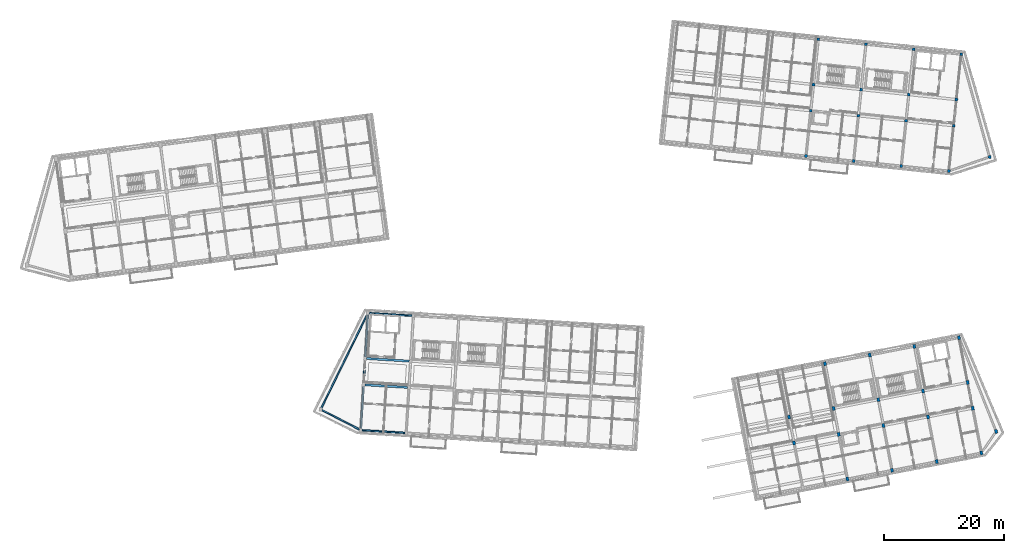
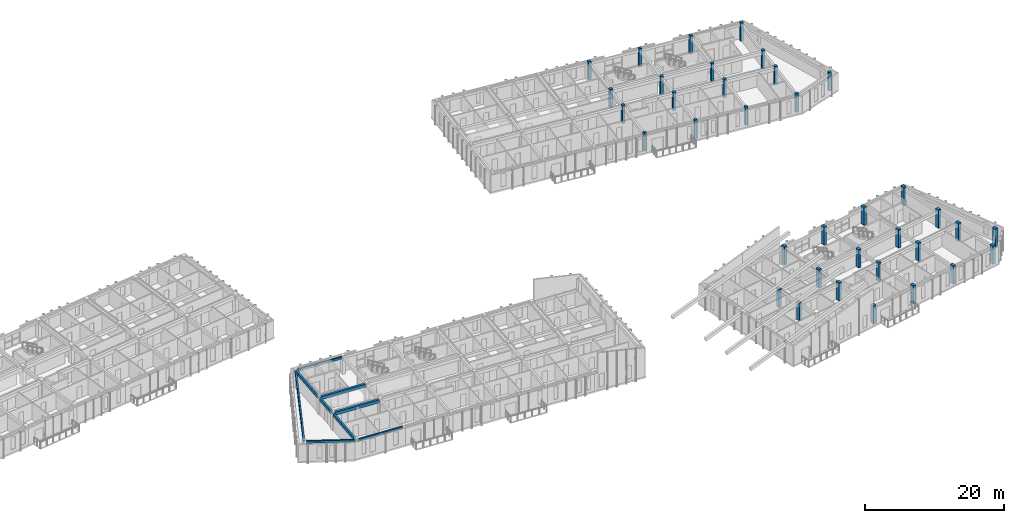
# One storey, part 2 of 64: 36 columns, 9 beams.
"""IFC4 building model written with IfcOpenShell, lengths in metres."""

import ifcopenshell
import ifcopenshell.guid

model = None  # the IFC model being written
_history = None  # IfcOwnerHistory: only IFC2X3 demands one
_inside = {}  # id of a spatial element -> (the spatial element, [elements in it])
_under = {}  # id of a project, library or spatial element -> (it, [spatial elements below it])
_declared = {}  # id of a project -> (the project, [libraries it declares])
_typed = {}  # id of a type object -> (the type object, [elements of that type])
_made_of = {}  # id of a material, layer set ... -> (it, [elements and type objects made of it])


def new_model(schema):
    """Start an empty IFC model of exactly this schema.

    Asked for "IFC4X3", IfcOpenShell would pick the latest addendum, in which some entities
    have other attributes; the version numbers below select the first issue.
    IFC2X3 requires an IfcOwnerHistory on every rooted entity: one is made here for all.
    """
    global model, _history
    if schema == "IFC4X3":
        model = ifcopenshell.file(schema_version=(4, 3, 0, 0))
    else:
        model = ifcopenshell.file(schema=schema)
    _inside.clear()
    _under.clear()
    _declared.clear()
    _typed.clear()
    _made_of.clear()
    _history = None
    if model.schema == "IFC2X3":
        org = make("IfcOrganization", Name="unknown")
        user = make(
            "IfcPersonAndOrganization",
            ThePerson=make("IfcPerson", FamilyName="unknown"),
            TheOrganization=org,
        )
        app = make(
            "IfcApplication",
            ApplicationDeveloper=org,
            Version="unknown",
            ApplicationFullName="unknown",
            ApplicationIdentifier="unknown",
        )
        _history = make(
            "IfcOwnerHistory",
            OwningUser=user,
            OwningApplication=app,
            ChangeAction="ADDED",
            CreationDate=0,
        )
    return model


def make(cls, **values):
    """One entity of the class cls with the attributes given. An attribute that is None is left unset."""
    return model.create_entity(
        cls, **{name: value for name, value in values.items() if value is not None}
    )


def rooted(cls, **values):
    """An entity with a GlobalId (a new one), such as an element, a storey or a relation."""
    return make(cls, GlobalId=ifcopenshell.guid.new(), OwnerHistory=_history, **values)


def si_unit(unit_type, name, prefix=None):
    """IfcSIUnit, for example si_unit("LENGTHUNIT", "METRE", prefix="MILLI")."""
    return make("IfcSIUnit", UnitType=unit_type, Prefix=prefix, Name=name)


def assignment(units):
    """IfcUnitAssignment: the units of a project."""
    return None if units is None else make("IfcUnitAssignment", Units=units)


def point(xyz):
    """IfcCartesianPoint."""
    return None if xyz is None else make("IfcCartesianPoint", Coordinates=xyz)


def direction(xyz):
    """IfcDirection."""
    return None if xyz is None else make("IfcDirection", DirectionRatios=xyz)


def frame(location, z_axis=None, x_axis=None):
    """IfcAxis2Placement3D, a coordinate frame: its origin and axes. An axis left out is left unset."""
    return make(
        "IfcAxis2Placement3D",
        Location=point(location),
        Axis=direction(z_axis),
        RefDirection=direction(x_axis),
    )


def frame_2d(location, x_axis=None):
    """IfcAxis2Placement2D, a coordinate frame in the plane: its origin and x axis."""
    return make(
        "IfcAxis2Placement2D", Location=point(location), RefDirection=direction(x_axis)
    )


def origin():
    """The frame at (0, 0, 0) with its axes left unset."""
    return frame((0.0, 0.0, 0.0))


def origin_2d():
    """The frame at (0, 0) in the plane with its x axis left unset."""
    return frame_2d((0.0, 0.0))


def place(relative_to, where):
    """IfcLocalPlacement: puts the frame where relative to a parent placement (None: the world)."""
    return make(
        "IfcLocalPlacement", PlacementRelTo=relative_to, RelativePlacement=where
    )


def context(
    kind, dimensions, precision=None, world=None, true_north=None, identifier=None
):
    """IfcGeometricRepresentationContext, for example the 3D "Model" context."""
    return make(
        "IfcGeometricRepresentationContext",
        ContextIdentifier=identifier,
        ContextType=kind,
        CoordinateSpaceDimension=dimensions,
        Precision=precision,
        WorldCoordinateSystem=world,
        TrueNorth=true_north,
    )


def subcontext(parent, identifier, kind, view, scale=None):
    """IfcGeometricRepresentationSubContext, for example "Body" below "Model"."""
    return make(
        "IfcGeometricRepresentationSubContext",
        ContextIdentifier=identifier,
        ContextType=kind,
        ParentContext=parent,
        TargetScale=scale,
        TargetView=view,
    )


def project(units=None, contexts=None):
    """IfcProject with its units and contexts."""
    return rooted(
        "IfcProject",
        Name="project",
        RepresentationContexts=contexts,
        UnitsInContext=assignment(units),
    )


def spatial(cls, under=None, at=None, **own):
    """A site, building, storey or space (cls), placed at a placement, below another one or the project."""
    s = rooted(cls, ObjectPlacement=at, **own)
    if under is not None:
        _under.setdefault(under.id(), (under, []))[1].append(s)
    return s


def profile(cls, at=None, kind="AREA", **sizes):
    """A parametric profile (cls). Its sizes go by their IFC names, for example OverallWidth=200.0."""
    return make(cls, ProfileType=kind, Position=at, **sizes)


def rectangle(**sizes):
    """IfcRectangleProfileDef."""
    return profile("IfcRectangleProfileDef", **sizes)


def extrude(swept, where, along, depth):
    """IfcExtrudedAreaSolid: the profile swept, set in the frame where, extruded along a direction by depth."""
    return make(
        "IfcExtrudedAreaSolid",
        SweptArea=swept,
        Position=where,
        ExtrudedDirection=direction(along),
        Depth=depth,
    )


def shape(context_of_items, identifier, shape_type, items):
    """IfcShapeRepresentation: the items that make up one representation, for example the "Body"."""
    return make(
        "IfcShapeRepresentation",
        ContextOfItems=context_of_items,
        RepresentationIdentifier=identifier,
        RepresentationType=shape_type,
        Items=items,
    )


def material(Name=None, Category=None):
    """IfcMaterial."""
    return make("IfcMaterial", Name=Name, Category=Category)


def material_profile(
    of_material, cross_section, Name=None, Category=None, Priority=None
):
    """IfcMaterialProfile: a cross section and its material."""
    return make(
        "IfcMaterialProfile",
        Name=Name,
        Material=of_material,
        Profile=cross_section,
        Priority=Priority,
        Category=Category,
    )


def profile_set(profiles, Name=None, composite=None):
    """IfcMaterialProfileSet."""
    return make(
        "IfcMaterialProfileSet",
        Name=Name,
        MaterialProfiles=profiles,
        CompositeProfile=composite,
    )


def made_of(thing, what):
    """Note that an element or type object is made of a material, layer set ...; save() writes the relation."""
    if what is not None:
        _made_of.setdefault(what.id(), (what, []))[1].append(thing)
    return thing


def type_object(cls, material=None, **own):
    """A type object (cls), such as IfcWallType, which elements share."""
    return made_of(rooted(cls, **own), material)


def element(
    cls,
    number,
    at=None,
    inside=None,
    cuts=None,
    type_object=None,
    material=None,
    context=None,
    identifier="Body",
    shape_type=None,
    held_by="IfcProductDefinitionShape",
    body=None,
    shapes=None,
    **own,
):
    """One element of the class cls, such as IfcWall. Its Tag is "e" and its number.

    at: its placement. inside: the storey or other place that contains it. cuts: it is an
    opening in that element (IfcRelVoidsElement). A single representation is given by context,
    identifier, shape_type and body (its items); several are given by shapes. held_by: the class
    of the entity that holds the representations. save() writes the other relations.
    """
    e = rooted(cls, Tag="e%d" % number, ObjectPlacement=at, **own)
    if body is not None:
        shapes = [shape(context, identifier, shape_type, body)]
    if shapes is not None:
        e.Representation = make(held_by, Representations=shapes)
    if inside is not None:
        _inside.setdefault(inside.id(), (inside, []))[1].append(e)
    if cuts is not None:
        rooted(
            "IfcRelVoidsElement", RelatingBuildingElement=cuts, RelatedOpeningElement=e
        )
    if type_object is not None:
        _typed.setdefault(type_object.id(), (type_object, []))[1].append(e)
    return made_of(e, material)


def aggregate(whole, parts):
    """IfcRelAggregates: a whole, such as a stair, and the parts it consists of."""
    return rooted("IfcRelAggregates", RelatingObject=whole, RelatedObjects=parts)


def save(model, path):
    """Write the relations noted so far, then the file.

    IfcRelAggregates (storeys below a building ...), IfcRelContainedInSpatialStructure (elements
    in a storey), IfcRelDefinesByType, IfcRelAssociatesMaterial and IfcRelDeclares: one each for
    every whole, place, type object, material and project.
    """
    for whole, parts in _under.values():
        aggregate(whole, parts)
    for where, things in _inside.values():
        rooted(
            "IfcRelContainedInSpatialStructure",
            RelatedElements=things,
            RelatingStructure=where,
        )
    for kind, things in _typed.values():
        rooted("IfcRelDefinesByType", RelatedObjects=things, RelatingType=kind)
    for what, things in _made_of.values():
        rooted("IfcRelAssociatesMaterial", RelatedObjects=things, RelatingMaterial=what)
    for by, libraries in _declared.values():
        rooted("IfcRelDeclares", RelatingContext=by, RelatedDefinitions=libraries)
    model.write(path)


model = new_model("IFC4")

# Units and contexts
model_context = context("Model", 3, precision=1e-05, world=origin(), true_north=direction((0.0, 1.0)))
body_context = subcontext(model_context, "Body", "Model", "MODEL_VIEW")
ifc_project = project(units=[si_unit("LENGTHUNIT", "METRE"), si_unit("AREAUNIT", "SQUARE_METRE"), si_unit("VOLUMEUNIT", "CUBIC_METRE"), si_unit("PLANEANGLEUNIT", "RADIAN"), si_unit("MASSUNIT", "GRAM", prefix="KILO")], contexts=[model_context])

# Site, building, storey
site_placement = place(None, origin())
site = spatial("IfcSite", under=ifc_project, at=site_placement, CompositionType="ELEMENT")
building_placement = place(site_placement, origin())
building = spatial("IfcBuilding", under=site, at=building_placement, Name="Kestramere Prow Commons", CompositionType="ELEMENT")
storey_placement = place(building_placement, frame((0.0, 0.0, 24.64990234375)))
storey = spatial("IfcBuildingStorey", under=building, at=storey_placement, Name="L07", CompositionType="ELEMENT", Elevation=24.64990234375)

# Columns
ifc_material = material(Name="Precast concrete C40/50", Category="concrete")
ifc_material_profile_1 = material_profile(ifc_material, rectangle(XDim=0.449951171875, YDim=0.449951171875, at=origin_2d()), Name="PC-COL 450x450")
ifc_profile_set_1 = profile_set([ifc_material_profile_1], Name="Precast concrete C40/50")
column_type_1 = type_object("IfcColumnType", Name="C-B3 PC-COL 450x450", PredefinedType="COLUMN", material=ifc_profile_set_1)
for number, where, z_axis, x_axis, name in (
    (1, (133.868408203125, 92.291259765625, 0.0), (0.0, 0.0, 1.0), (0.994521895368, -0.104528463268, 0.0), "Block B L07 Column 4-1"),
    (2, (134.662841796875, 99.849609375, 0.0), (0.0, 0.0, 1.0), (0.994521895368, -0.104528463268, 0.0), "Block B L07 Column 4-2"),
    (3, (135.122802734375, 104.2255859375, 0.0), (0.0, 0.0, 1.0), (0.994521895368, -0.104528463268, 0.0), "Block B L07 Column 4-3"),
    (4, (135.917236328125, 111.783935546875, 0.0), (0.0, 0.0, 1.0), (0.994521895368, -0.104528463268, 0.0), "Block B L07 Column 4-4"),
    (5, (141.82470703125, 91.455078125, 0.0), (0.0, 0.0, 1.0), (0.994521895368, -0.104528463268, 0.0), "Block B L07 Column 5-1"),
    (6, (142.619140625, 99.013427734375, 0.0), (0.0, 0.0, 1.0), (0.994521895368, -0.104528463268, 0.0), "Block B L07 Column 5-2"),
    (7, (143.0791015625, 103.389404296875, 0.0), (0.0, 0.0, 1.0), (0.994521895368, -0.104528463268, 0.0), "Block B L07 Column 5-3"),
    (8, (143.87353515625, 110.94775390625, 0.0), (0.0, 0.0, 1.0), (0.994521895368, -0.104528463268, 0.0), "Block B L07 Column 5-4"),
    (9, (149.78076171875, 90.618896484375, 0.0), (0.0, 0.0, 1.0), (0.994521895368, -0.104528463268, 0.0), "Block B L07 Column 6-1"),
    (10, (150.5751953125, 98.17724609375, 0.0), (0.0, 0.0, 1.0), (0.994521895368, -0.104528463268, 0.0), "Block B L07 Column 6-2"),
    (11, (151.03515625, 102.55322265625, 0.0), (0.0, 0.0, 1.0), (0.994521895368, -0.104528463268, 0.0), "Block B L07 Column 6-3"),
    (12, (151.82958984375, 110.111572265625, 0.0), (0.0, 0.0, 1.0), (0.994521895368, -0.104528463268, 0.0), "Block B L07 Column 6-4"),
    (13, (157.737060546875, 89.78271484375, 0.0), (0.0, 0.0, 1.0), (0.994521895368, -0.104528463268, 0.0), "Block B L07 Column 7-1"),
    (14, (158.531494140625, 97.341064453125, 0.0), (0.0, 0.0, 1.0), (0.994521895368, -0.104528463268, 0.0), "Block B L07 Column 7-2"),
    (15, (158.991455078125, 101.716796875, 0.0), (0.0, 0.0, 1.0), (0.994521895368, -0.104528463268, 0.0), "Block B L07 Column 7-3"),
    (16, (159.785888671875, 109.275146484375, 0.0), (0.0, 0.0, 1.0), (0.994521895368, -0.104528463268, 0.0), "Block B L07 Column 7-4"),
    (17, (164.520263671875, 92.136474609375, 0.0), (0.0, 0.0, 1.0), (0.994521895368, -0.104528463268, 0.0), "Block B L07 Prow Apex Column"),
):
    element("IfcColumn", number, at=place(storey_placement, frame(where, z_axis=z_axis, x_axis=x_axis)), inside=storey, type_object=column_type_1, Name=name, PredefinedType="COLUMN", context=body_context, shape_type="SweptSolid", body=[
        extrude(rectangle(XDim=0.449951171875, YDim=0.449951171875, at=origin_2d()), origin(), (0.0, 0.0, 1.0), 3.25),
    ])
ifc_material_profile_2 = material_profile(ifc_material, rectangle(XDim=0.449951171875, YDim=0.64990234375, at=origin_2d()), Name="PC-COL 450x650")
ifc_profile_set_2 = profile_set([ifc_material_profile_2], Name="Precast concrete C40/50")
column_type_2 = type_object("IfcColumnType", Name="C-D3 PC-COL 450x650", PredefinedType="COLUMN", material=ifc_profile_set_2)
for number, where, z_axis, x_axis, name in (
    (18, (131.87060546875, 44.360595703125, 0.0), (0.0, 0.0, 1.0), (0.981627183448, 0.190808995377, 0.0), "Block D L07 Column 3-2"),
    (19, (131.031005859375, 48.679931640625, 0.0), (0.0, 0.0, 1.0), (0.981627183448, 0.190808995377, 0.0), "Block D L07 Column 3-3"),
    (20, (140.781005859375, 38.350341796875, 0.0), (0.0, 0.0, 1.0), (0.981627183448, 0.190808995377, 0.0), "Block D L07 Column 4-1"),
    (21, (139.3310546875, 45.810791015625, 0.0), (0.0, 0.0, 1.0), (0.981627183448, 0.190808995377, 0.0), "Block D L07 Column 4-2"),
    (22, (138.491455078125, 50.1298828125, 0.0), (0.0, 0.0, 1.0), (0.981627183448, 0.190808995377, 0.0), "Block D L07 Column 4-3"),
    (23, (137.041259765625, 57.59033203125, 0.0), (0.0, 0.0, 1.0), (0.981627183448, 0.190808995377, 0.0), "Block D L07 Column 4-4"),
    (24, (148.241455078125, 39.800537109375, 0.0), (0.0, 0.0, 1.0), (0.981627183448, 0.190808995377, 0.0), "Block D L07 Column 5-1"),
    (25, (146.791259765625, 47.260986328125, 0.0), (0.0, 0.0, 1.0), (0.981627183448, 0.190808995377, 0.0), "Block D L07 Column 5-2"),
    (26, (145.95166015625, 51.580078125, 0.0), (0.0, 0.0, 1.0), (0.981627183448, 0.190808995377, 0.0), "Block D L07 Column 5-3"),
    (27, (144.501708984375, 59.04052734375, 0.0), (0.0, 0.0, 1.0), (0.981627183448, 0.190808995377, 0.0), "Block D L07 Column 5-4"),
    (28, (155.701904296875, 41.250732421875, 0.0), (0.0, 0.0, 1.0), (0.981627183448, 0.190808995377, 0.0), "Block D L07 Column 6-1"),
    (29, (154.251708984375, 48.711181640625, 0.0), (0.0, 0.0, 1.0), (0.981627183448, 0.190808995377, 0.0), "Block D L07 Column 6-2"),
    (30, (153.412109375, 53.0302734375, 0.0), (0.0, 0.0, 1.0), (0.981627183448, 0.190808995377, 0.0), "Block D L07 Column 6-3"),
    (31, (151.9619140625, 60.49072265625, 0.0), (0.0, 0.0, 1.0), (0.981627183448, 0.190808995377, 0.0), "Block D L07 Column 6-4"),
    (32, (163.162109375, 42.700927734375, 0.0), (0.0, 0.0, 1.0), (0.981627183448, 0.190808995377, 0.0), "Block D L07 Column 7-1"),
    (33, (161.712158203125, 50.161376953125, 0.0), (0.0, 0.0, 1.0), (0.981627183448, 0.190808995377, 0.0), "Block D L07 Column 7-2"),
    (34, (160.87255859375, 54.48046875, 0.0), (0.0, 0.0, 1.0), (0.981627183448, 0.190808995377, 0.0), "Block D L07 Column 7-3"),
    (35, (159.42236328125, 61.940673828125, 0.0), (0.0, 0.0, 1.0), (0.981627183448, 0.190808995377, 0.0), "Block D L07 Column 7-4"),
    (36, (165.623291015625, 46.286376953125, 0.0), (0.0, 0.0, 1.0), (0.981627183448, 0.190808995377, 0.0), "Block D L07 Prow Apex Column"),
):
    element("IfcColumn", number, at=place(storey_placement, frame(where, z_axis=z_axis, x_axis=x_axis)), inside=storey, type_object=column_type_2, Name=name, PredefinedType="COLUMN", context=body_context, shape_type="SweptSolid", body=[
        extrude(rectangle(XDim=0.449951171875, YDim=0.64990234375, at=origin_2d()), origin(), (0.0, 0.0, 1.0), 3.25),
    ])

# Beams
ifc_material_profile_3 = material_profile(ifc_material, rectangle(XDim=0.35009765625, YDim=0.550048828125, at=origin_2d()), Name="PC-BM 350x550")
ifc_profile_set_3 = profile_set([ifc_material_profile_3], Name="Precast concrete C40/50")
beam_type_1 = type_object("IfcBeamType", Name="BM-C1 PC-BM 350x550", PredefinedType="BEAM", material=ifc_profile_set_3)
beam_1_placement = place(storey_placement, frame((60.1884765625, 54.072021484375, 2.72509765625), z_axis=(0.998134602239, -0.061051747017, 0.0), x_axis=(0.061051747017, 0.998134602239, 0.0)))
element("IfcBeam", 37, at=beam_1_placement, inside=storey, type_object=beam_type_1, Name="Block C L07 Longitudinal Beam 2-1", PredefinedType="BEAM", context=body_context, shape_type="SweptSolid", body=[
    extrude(rectangle(XDim=0.35009765625, YDim=0.550048828125, at=origin_2d()), origin(), (0.0, 0.0, 1.0), 7.150146484375),
])
beam_2_placement = place(storey_placement, frame((60.457275390625, 58.4638671875, 2.72509765625), z_axis=(0.998134474962, -0.061053827828, 0.0), x_axis=(0.061053827828, 0.998134474962, 0.0)))
element("IfcBeam", 38, at=beam_2_placement, inside=storey, type_object=beam_type_1, Name="Block C L07 Longitudinal Beam 3-1", PredefinedType="BEAM", context=body_context, shape_type="SweptSolid", body=[
    extrude(rectangle(XDim=0.35009765625, YDim=0.550048828125, at=origin_2d()), origin(), (0.0, 0.0, 1.0), 7.14990234375),
])
ifc_material_profile_4 = material_profile(ifc_material, rectangle(XDim=0.300048828125, YDim=0.5, at=origin_2d()), Name="PC-BM 300x500")
ifc_profile_set_4 = profile_set([ifc_material_profile_4], Name="Precast concrete C40/50")
beam_type_2 = type_object("IfcBeamType", Name="BM-TIE-01 PC-BM 300x500", PredefinedType="BEAM", material=ifc_profile_set_4)
beam_3_placement = place(storey_placement, frame((59.518310546875, 46.799560546875, 2.75), z_axis=(0.061036313012, 0.998135546153, 0.0), x_axis=(-0.998135546153, 0.061036313012, 0.0)))
element("IfcBeam", 39, at=beam_3_placement, inside=storey, type_object=beam_type_2, Name="Block C L07 Transverse Beam 1-1", PredefinedType="BEAM", context=body_context, shape_type="SweptSolid", body=[
    extrude(rectangle(XDim=0.300048828125, YDim=0.5, at=origin_2d()), origin(), (0.0, 0.0, 1.0), 6.999755859375),
])
beam_4_placement = place(storey_placement, frame((59.982177734375, 54.38525390625, 2.75), z_axis=(0.061098306988, 0.998131753269, 0.0), x_axis=(-0.998131753269, 0.061098306988, 0.0)))
element("IfcBeam", 40, at=beam_4_placement, inside=storey, type_object=beam_type_2, Name="Block C L07 Transverse Beam 1-2", PredefinedType="BEAM", context=body_context, shape_type="SweptSolid", body=[
    extrude(rectangle(XDim=0.300048828125, YDim=0.5, at=origin_2d()), origin(), (0.0, 0.0, 1.0), 3.800048828125),
])
beam_5_placement = place(storey_placement, frame((60.2509765625, 58.777099609375, 2.75), z_axis=(0.061036313012, 0.998135546153, 0.0), x_axis=(-0.998135546153, 0.061036313012, 0.0)))
element("IfcBeam", 41, at=beam_5_placement, inside=storey, type_object=beam_type_2, Name="Block C L07 Transverse Beam 1-3", PredefinedType="BEAM", context=body_context, shape_type="SweptSolid", body=[
    extrude(rectangle(XDim=0.300048828125, YDim=0.5, at=origin_2d()), origin(), (0.0, 0.0, 1.0), 6.999755859375),
])
ifc_material_profile_5 = material_profile(ifc_material, rectangle(XDim=0.25, YDim=0.39990234375, at=origin_2d()), Name="PC-SP 250x400")
ifc_profile_set_5 = profile_set([ifc_material_profile_5], Name="Precast concrete C40/50")
beam_type_3 = type_object("IfcBeamType", Name="SP-EXT-01 PC-SP 250x400", PredefinedType="SPANDREL", material=ifc_profile_set_5)
beam_6_placement = place(storey_placement, frame((59.251220703125, 46.628662109375, 2.800048828125), z_axis=(-0.888240269485, 0.459379171998, 0.0), x_axis=(-0.459379171998, -0.888240269485, 0.0)))
element("IfcBeam", 42, at=beam_6_placement, inside=storey, type_object=beam_type_3, Name="Block C L07 Prow Facet Beam S", PredefinedType="SPANDREL", context=body_context, shape_type="SweptSolid", body=[
    extrude(rectangle(XDim=0.25, YDim=0.39990234375, at=origin_2d()), origin(), (0.0, 0.0, 1.0), 6.98388671875),
])
beam_7_placement = place(storey_placement, frame((60.5732421875, 65.81201171875, 2.800048828125), z_axis=(-0.440448933016, -0.897777665909, 0.0), x_axis=(0.897777665909, -0.440448933016, 0.0)))
element("IfcBeam", 43, at=beam_7_placement, inside=storey, type_object=beam_type_3, Name="Block C L07 Prow Facet Beam N", PredefinedType="SPANDREL", context=body_context, shape_type="SweptSolid", body=[
    extrude(rectangle(XDim=0.25, YDim=0.39990234375, at=origin_2d()), origin(), (0.0, 0.0, 1.0), 17.37060546875),
])
for number, where, z_axis, x_axis, name in (
    (44, (59.724609375, 46.486328125, 2.800048828125), (0.998134602239, -0.061051747017, 0.0), (0.061051747017, 0.998134602239, 0.0), "Block C L07 Longitudinal Beam 1-1"),
    (45, (60.921142578125, 66.0498046875, 2.800048828125), (0.998134602239, -0.061051747017, 0.0), (0.061051747017, 0.998134602239, 0.0), "Block C L07 Longitudinal Beam 4-1"),
):
    element("IfcBeam", number, at=place(storey_placement, frame(where, z_axis=z_axis, x_axis=x_axis)), inside=storey, type_object=beam_type_3, Name=name, PredefinedType="SPANDREL", context=body_context, shape_type="SweptSolid", body=[
        extrude(rectangle(XDim=0.25, YDim=0.39990234375, at=origin_2d()), origin(), (0.0, 0.0, 1.0), 7.150146484375),
    ])

save(model, "model.ifc")
